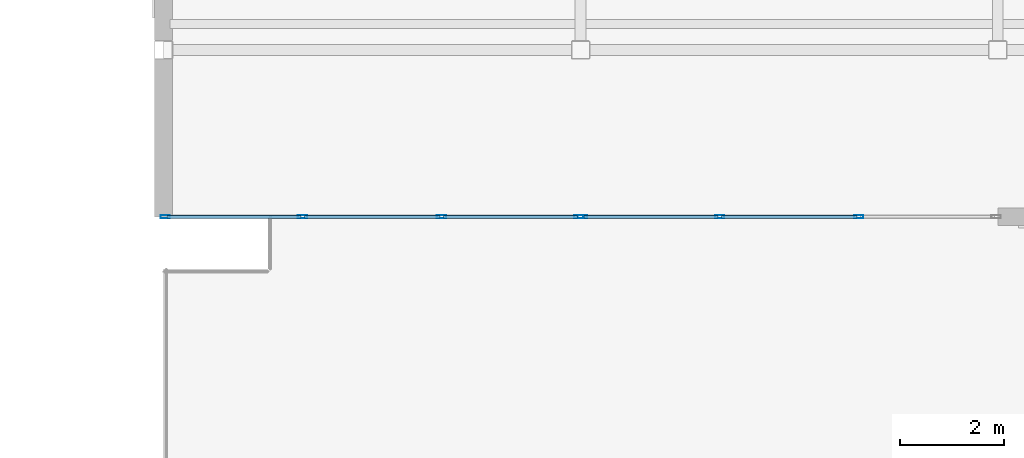
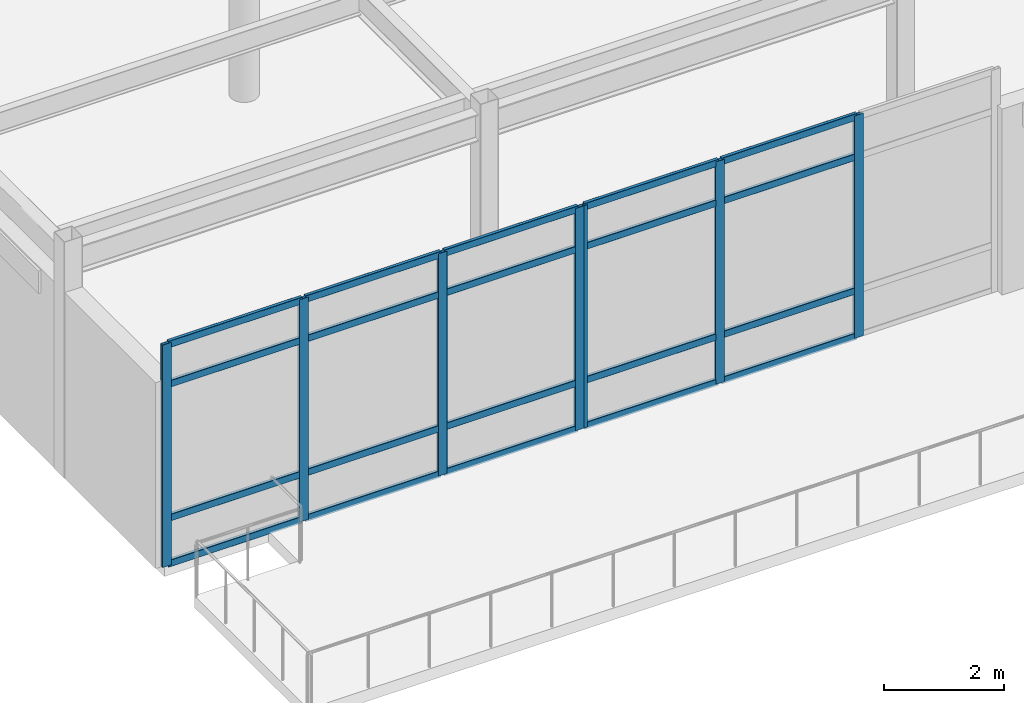
# One storey, part 46 of 117: 27 members, 2 elements without a shape of their own.
"""IFC4 building model written with IfcOpenShell, lengths in metres."""

import ifcopenshell
import ifcopenshell.guid

model = None  # the IFC model being written
_history = None  # IfcOwnerHistory: only IFC2X3 demands one
_inside = {}  # id of a spatial element -> (the spatial element, [elements in it])
_under = {}  # id of a project, library or spatial element -> (it, [spatial elements below it])
_declared = {}  # id of a project -> (the project, [libraries it declares])
_typed = {}  # id of a type object -> (the type object, [elements of that type])
_made_of = {}  # id of a material, layer set ... -> (it, [elements and type objects made of it])


def new_model(schema):
    """Start an empty IFC model of exactly this schema.

    Asked for "IFC4X3", IfcOpenShell would pick the latest addendum, in which some entities
    have other attributes; the version numbers below select the first issue.
    IFC2X3 requires an IfcOwnerHistory on every rooted entity: one is made here for all.
    """
    global model, _history
    if schema == "IFC4X3":
        model = ifcopenshell.file(schema_version=(4, 3, 0, 0))
    else:
        model = ifcopenshell.file(schema=schema)
    _inside.clear()
    _under.clear()
    _declared.clear()
    _typed.clear()
    _made_of.clear()
    _history = None
    if model.schema == "IFC2X3":
        org = make("IfcOrganization", Name="unknown")
        user = make(
            "IfcPersonAndOrganization",
            ThePerson=make("IfcPerson", FamilyName="unknown"),
            TheOrganization=org,
        )
        app = make(
            "IfcApplication",
            ApplicationDeveloper=org,
            Version="unknown",
            ApplicationFullName="unknown",
            ApplicationIdentifier="unknown",
        )
        _history = make(
            "IfcOwnerHistory",
            OwningUser=user,
            OwningApplication=app,
            ChangeAction="ADDED",
            CreationDate=0,
        )
    return model


def make(cls, **values):
    """One entity of the class cls with the attributes given. An attribute that is None is left unset."""
    return model.create_entity(
        cls, **{name: value for name, value in values.items() if value is not None}
    )


def rooted(cls, **values):
    """An entity with a GlobalId (a new one), such as an element, a storey or a relation."""
    return make(cls, GlobalId=ifcopenshell.guid.new(), OwnerHistory=_history, **values)


def si_unit(unit_type, name, prefix=None):
    """IfcSIUnit, for example si_unit("LENGTHUNIT", "METRE", prefix="MILLI")."""
    return make("IfcSIUnit", UnitType=unit_type, Prefix=prefix, Name=name)


def assignment(units):
    """IfcUnitAssignment: the units of a project."""
    return None if units is None else make("IfcUnitAssignment", Units=units)


def point(xyz):
    """IfcCartesianPoint."""
    return None if xyz is None else make("IfcCartesianPoint", Coordinates=xyz)


def direction(xyz):
    """IfcDirection."""
    return None if xyz is None else make("IfcDirection", DirectionRatios=xyz)


def frame(location, z_axis=None, x_axis=None):
    """IfcAxis2Placement3D, a coordinate frame: its origin and axes. An axis left out is left unset."""
    return make(
        "IfcAxis2Placement3D",
        Location=point(location),
        Axis=direction(z_axis),
        RefDirection=direction(x_axis),
    )


def frame_2d(location, x_axis=None):
    """IfcAxis2Placement2D, a coordinate frame in the plane: its origin and x axis."""
    return make(
        "IfcAxis2Placement2D", Location=point(location), RefDirection=direction(x_axis)
    )


def origin():
    """The frame at (0, 0, 0) with its axes left unset."""
    return frame((0.0, 0.0, 0.0))


def origin_2d():
    """The frame at (0, 0) in the plane with its x axis left unset."""
    return frame_2d((0.0, 0.0))


def place(relative_to, where):
    """IfcLocalPlacement: puts the frame where relative to a parent placement (None: the world)."""
    return make(
        "IfcLocalPlacement", PlacementRelTo=relative_to, RelativePlacement=where
    )


def context(
    kind, dimensions, precision=None, world=None, true_north=None, identifier=None
):
    """IfcGeometricRepresentationContext, for example the 3D "Model" context."""
    return make(
        "IfcGeometricRepresentationContext",
        ContextIdentifier=identifier,
        ContextType=kind,
        CoordinateSpaceDimension=dimensions,
        Precision=precision,
        WorldCoordinateSystem=world,
        TrueNorth=true_north,
    )


def subcontext(parent, identifier, kind, view, scale=None):
    """IfcGeometricRepresentationSubContext, for example "Body" below "Model"."""
    return make(
        "IfcGeometricRepresentationSubContext",
        ContextIdentifier=identifier,
        ContextType=kind,
        ParentContext=parent,
        TargetScale=scale,
        TargetView=view,
    )


def project(units=None, contexts=None):
    """IfcProject with its units and contexts."""
    return rooted(
        "IfcProject",
        Name="project",
        RepresentationContexts=contexts,
        UnitsInContext=assignment(units),
    )


def spatial(cls, under=None, at=None, **own):
    """A site, building, storey or space (cls), placed at a placement, below another one or the project."""
    s = rooted(cls, ObjectPlacement=at, **own)
    if under is not None:
        _under.setdefault(under.id(), (under, []))[1].append(s)
    return s


def profile(cls, at=None, kind="AREA", **sizes):
    """A parametric profile (cls). Its sizes go by their IFC names, for example OverallWidth=200.0."""
    return make(cls, ProfileType=kind, Position=at, **sizes)


def hollow_rectangle(**sizes):
    """IfcRectangleHollowProfileDef."""
    return profile("IfcRectangleHollowProfileDef", **sizes)


def extrude(swept, where, along, depth):
    """IfcExtrudedAreaSolid: the profile swept, set in the frame where, extruded along a direction by depth."""
    return make(
        "IfcExtrudedAreaSolid",
        SweptArea=swept,
        Position=where,
        ExtrudedDirection=direction(along),
        Depth=depth,
    )


def shape(context_of_items, identifier, shape_type, items):
    """IfcShapeRepresentation: the items that make up one representation, for example the "Body"."""
    return make(
        "IfcShapeRepresentation",
        ContextOfItems=context_of_items,
        RepresentationIdentifier=identifier,
        RepresentationType=shape_type,
        Items=items,
    )


def material(Name=None, Category=None):
    """IfcMaterial."""
    return make("IfcMaterial", Name=Name, Category=Category)


def material_profile(
    of_material, cross_section, Name=None, Category=None, Priority=None
):
    """IfcMaterialProfile: a cross section and its material."""
    return make(
        "IfcMaterialProfile",
        Name=Name,
        Material=of_material,
        Profile=cross_section,
        Priority=Priority,
        Category=Category,
    )


def profile_set(profiles, Name=None, composite=None):
    """IfcMaterialProfileSet."""
    return make(
        "IfcMaterialProfileSet",
        Name=Name,
        MaterialProfiles=profiles,
        CompositeProfile=composite,
    )


def made_of(thing, what):
    """Note that an element or type object is made of a material, layer set ...; save() writes the relation."""
    if what is not None:
        _made_of.setdefault(what.id(), (what, []))[1].append(thing)
    return thing


def type_object(cls, material=None, **own):
    """A type object (cls), such as IfcWallType, which elements share."""
    return made_of(rooted(cls, **own), material)


def element(
    cls,
    number,
    at=None,
    inside=None,
    cuts=None,
    type_object=None,
    material=None,
    context=None,
    identifier="Body",
    shape_type=None,
    held_by="IfcProductDefinitionShape",
    body=None,
    shapes=None,
    **own,
):
    """One element of the class cls, such as IfcWall. Its Tag is "e" and its number.

    at: its placement. inside: the storey or other place that contains it. cuts: it is an
    opening in that element (IfcRelVoidsElement). A single representation is given by context,
    identifier, shape_type and body (its items); several are given by shapes. held_by: the class
    of the entity that holds the representations. save() writes the other relations.
    """
    e = rooted(cls, Tag="e%d" % number, ObjectPlacement=at, **own)
    if body is not None:
        shapes = [shape(context, identifier, shape_type, body)]
    if shapes is not None:
        e.Representation = make(held_by, Representations=shapes)
    if inside is not None:
        _inside.setdefault(inside.id(), (inside, []))[1].append(e)
    if cuts is not None:
        rooted(
            "IfcRelVoidsElement", RelatingBuildingElement=cuts, RelatedOpeningElement=e
        )
    if type_object is not None:
        _typed.setdefault(type_object.id(), (type_object, []))[1].append(e)
    return made_of(e, material)


def aggregate(whole, parts):
    """IfcRelAggregates: a whole, such as a stair, and the parts it consists of."""
    return rooted("IfcRelAggregates", RelatingObject=whole, RelatedObjects=parts)


def save(model, path):
    """Write the relations noted so far, then the file.

    IfcRelAggregates (storeys below a building ...), IfcRelContainedInSpatialStructure (elements
    in a storey), IfcRelDefinesByType, IfcRelAssociatesMaterial and IfcRelDeclares: one each for
    every whole, place, type object, material and project.
    """
    for whole, parts in _under.values():
        aggregate(whole, parts)
    for where, things in _inside.values():
        rooted(
            "IfcRelContainedInSpatialStructure",
            RelatedElements=things,
            RelatingStructure=where,
        )
    for kind, things in _typed.values():
        rooted("IfcRelDefinesByType", RelatedObjects=things, RelatingType=kind)
    for what, things in _made_of.values():
        rooted("IfcRelAssociatesMaterial", RelatedObjects=things, RelatingMaterial=what)
    for by, libraries in _declared.values():
        rooted("IfcRelDeclares", RelatingContext=by, RelatedDefinitions=libraries)
    model.write(path)


model = new_model("IFC4")

# Units and contexts
model_context = context("Model", 3, precision=1e-05, world=origin(), true_north=direction((0.0, 1.0)))
body_context = subcontext(model_context, "Body", "Model", "MODEL_VIEW")
ifc_project = project(units=[si_unit("LENGTHUNIT", "METRE"), si_unit("AREAUNIT", "SQUARE_METRE"), si_unit("VOLUMEUNIT", "CUBIC_METRE"), si_unit("PLANEANGLEUNIT", "RADIAN"), si_unit("MASSUNIT", "GRAM", prefix="KILO")], contexts=[model_context])

# Site, building, storey
site_placement = place(None, origin())
site = spatial("IfcSite", under=ifc_project, at=site_placement, CompositionType="ELEMENT")
building_placement = place(site_placement, origin())
building = spatial("IfcBuilding", under=site, at=building_placement, Name="Solmirada Galleria", CompositionType="ELEMENT")
storey_placement = place(building_placement, frame((0.0, 0.0, 5.60009765625)))
storey = spatial("IfcBuildingStorey", under=building, at=storey_placement, Name="L01", CompositionType="ELEMENT", Elevation=5.60009765625)

# Curtain wall, members
ifc_material_1 = material(Name="Impact-resistant low-E double glazing", Category="glass")
curtain_wall_type = type_object("IfcCurtainWallType", Name="CW-FZ4-L01-B3-L080", PredefinedType="NOTDEFINED", material=ifc_material_1)
curtain_wall_1_placement = place(storey_placement, origin())
curtain_wall_1 = element("IfcCurtainWall", 1, at=curtain_wall_1_placement, inside=storey, type_object=curtain_wall_type, Name="Terrace and arcade storefront CW-L01-051", PredefinedType="NOTDEFINED")
ifc_material_2 = material(Name="Anodised aluminium framing", Category="aluminium")
ifc_material_profile_1 = material_profile(ifc_material_2, hollow_rectangle(XDim=0.06494140625, YDim=0.179931640625, WallThickness=0.00390625, InnerFilletRadius=0.00390625, OuterFilletRadius=0.008056640625, at=origin_2d()), Name="ALU-MULL-180X65")
ifc_profile_set_1 = profile_set([ifc_material_profile_1], Name="Anodised aluminium framing")
member_type_1 = type_object("IfcMemberType", Name="CW-MULL-180", PredefinedType="MULLION", material=ifc_profile_set_1)
member_1_placement = place(storey_placement, frame((53.333251953125, 76.800048828125, 0.0), z_axis=(0.0, 0.0, 1.0), x_axis=(0.0, -1.0, 0.0)))
member_1 = element("IfcMember", 2, at=member_1_placement, type_object=member_type_1, Name="CW13 mullion 2", PredefinedType="MULLION", context=body_context, shape_type="SweptSolid", body=[
    extrude(hollow_rectangle(XDim=0.06494140625, YDim=0.179931640625, WallThickness=0.00390625, InnerFilletRadius=0.00390625, OuterFilletRadius=0.008056640625, at=origin_2d()), origin(), (0.0, 0.0, 1.0), 4.52001953125),
])
member_2_placement = place(storey_placement, frame((50.666748046875, 76.800048828125, 0.0), z_axis=(0.0, 0.0, 1.0), x_axis=(0.0, -1.0, 0.0)))
member_2 = element("IfcMember", 3, at=member_2_placement, type_object=member_type_1, Name="CW13 mullion 3", PredefinedType="MULLION", context=body_context, shape_type="SweptSolid", body=[
    extrude(hollow_rectangle(XDim=0.06494140625, YDim=0.179931640625, WallThickness=0.00390625, InnerFilletRadius=0.00390625, OuterFilletRadius=0.008056640625, at=origin_2d()), origin(), (0.0, 0.0, 1.0), 4.52001953125),
])
member_3_placement = place(storey_placement, frame((48.032470703125, 76.800048828125, 0.0), z_axis=(0.0, 0.0, 1.0), x_axis=(0.0, -1.0, 0.0)))
member_3 = element("IfcMember", 4, at=member_3_placement, type_object=member_type_1, Name="CW13 mullion 4", PredefinedType="MULLION", context=body_context, shape_type="SweptSolid", body=[
    extrude(hollow_rectangle(XDim=0.06494140625, YDim=0.179931640625, WallThickness=0.00390625, InnerFilletRadius=0.00390625, OuterFilletRadius=0.008056640625, at=origin_2d()), origin(), (0.0, 0.0, 1.0), 4.52001953125),
])

curtain_wall_2_placement = place(storey_placement, origin())
curtain_wall_2 = element("IfcCurtainWall", 5, at=curtain_wall_2_placement, inside=storey, type_object=curtain_wall_type, Name="Terrace and arcade storefront CW-L01-052", PredefinedType="NOTDEFINED")
member_4_placement = place(storey_placement, frame((47.967529296875, 76.800048828125, 0.0), z_axis=(0.0, 0.0, 1.0), x_axis=(0.0, -1.0, 0.0)))
member_4 = element("IfcMember", 6, at=member_4_placement, type_object=member_type_1, Name="CW13 mullion 1", PredefinedType="MULLION", context=body_context, shape_type="SweptSolid", body=[
    extrude(hollow_rectangle(XDim=0.06494140625, YDim=0.179931640625, WallThickness=0.00390625, InnerFilletRadius=0.00390625, OuterFilletRadius=0.008056640625, at=origin_2d()), origin(), (0.0, 0.0, 1.0), 4.52001953125),
])
member_5_placement = place(storey_placement, frame((45.333251953125, 76.800048828125, 0.0), z_axis=(0.0, 0.0, 1.0), x_axis=(0.0, -1.0, 0.0)))
member_5 = element("IfcMember", 7, at=member_5_placement, type_object=member_type_1, Name="CW13 mullion 2", PredefinedType="MULLION", context=body_context, shape_type="SweptSolid", body=[
    extrude(hollow_rectangle(XDim=0.06494140625, YDim=0.179931640625, WallThickness=0.00390625, InnerFilletRadius=0.00390625, OuterFilletRadius=0.008056640625, at=origin_2d()), origin(), (0.0, 0.0, 1.0), 4.52001953125),
])
member_6_placement = place(storey_placement, frame((42.666748046875, 76.800048828125, 0.0), z_axis=(0.0, 0.0, 1.0), x_axis=(0.0, -1.0, 0.0)))
member_6 = element("IfcMember", 8, at=member_6_placement, type_object=member_type_1, Name="CW13 mullion 3", PredefinedType="MULLION", context=body_context, shape_type="SweptSolid", body=[
    extrude(hollow_rectangle(XDim=0.06494140625, YDim=0.179931640625, WallThickness=0.00390625, InnerFilletRadius=0.00390625, OuterFilletRadius=0.008056640625, at=origin_2d()), origin(), (0.0, 0.0, 1.0), 4.52001953125),
])
member_7_placement = place(storey_placement, frame((40.032470703125, 76.800048828125, 0.0), z_axis=(0.0, 0.0, 1.0), x_axis=(0.0, -1.0, 0.0)))
member_7 = element("IfcMember", 9, at=member_7_placement, type_object=member_type_1, Name="CW13 mullion 4", PredefinedType="MULLION", context=body_context, shape_type="SweptSolid", body=[
    extrude(hollow_rectangle(XDim=0.06494140625, YDim=0.179931640625, WallThickness=0.00390625, InnerFilletRadius=0.00390625, OuterFilletRadius=0.008056640625, at=origin_2d()), origin(), (0.0, 0.0, 1.0), 4.52001953125),
])

# Member
ifc_material_profile_2 = material_profile(ifc_material_2, hollow_rectangle(XDim=0.06494140625, YDim=0.139892578125, WallThickness=0.00341796875, InnerFilletRadius=0.00341796875, OuterFilletRadius=0.007080078125, at=origin_2d()), Name="ALU-TRAN-140X65")
ifc_profile_set_2 = profile_set([ifc_material_profile_2], Name="Anodised aluminium framing")
member_type_2 = type_object("IfcMemberType", Name="CW-TRAN-140", PredefinedType="USERDEFINED", material=ifc_profile_set_2)
member_8_placement = place(storey_placement, frame((53.30078125, 76.800048828125, 0.032470703125), z_axis=(-1.0, 0.0, 0.0), x_axis=(0.0, -1.0, 0.0)))
member_8 = element("IfcMember", 10, at=member_8_placement, type_object=member_type_2, Name="CW13 transom 2.1", ObjectType="TRANSOM", PredefinedType="USERDEFINED", context=body_context, shape_type="SweptSolid", body=[
    extrude(hollow_rectangle(XDim=0.06494140625, YDim=0.139892578125, WallThickness=0.00341796875, InnerFilletRadius=0.00341796875, OuterFilletRadius=0.007080078125, at=origin_2d()), origin(), (0.0, 0.0, 1.0), 2.6015625),
])

member_9_placement = place(storey_placement, frame((53.30078125, 76.800048828125, 0.9599609375), z_axis=(-1.0, 0.0, 0.0), x_axis=(0.0, -1.0, 0.0)))
member_9 = element("IfcMember", 11, at=member_9_placement, type_object=member_type_2, Name="CW13 transom 2.2", ObjectType="TRANSOM", PredefinedType="USERDEFINED", context=body_context, shape_type="SweptSolid", body=[
    extrude(hollow_rectangle(XDim=0.06494140625, YDim=0.139892578125, WallThickness=0.00341796875, InnerFilletRadius=0.00341796875, OuterFilletRadius=0.007080078125, at=origin_2d()), origin(), (0.0, 0.0, 1.0), 2.6015625),
])

member_10_placement = place(storey_placement, frame((53.30078125, 76.800048828125, 3.679931640625), z_axis=(-1.0, 0.0, 0.0), x_axis=(0.0, -1.0, 0.0)))
member_10 = element("IfcMember", 12, at=member_10_placement, type_object=member_type_2, Name="CW13 transom 2.3", ObjectType="TRANSOM", PredefinedType="USERDEFINED", context=body_context, shape_type="SweptSolid", body=[
    extrude(hollow_rectangle(XDim=0.06494140625, YDim=0.139892578125, WallThickness=0.00341796875, InnerFilletRadius=0.00341796875, OuterFilletRadius=0.007080078125, at=origin_2d()), origin(), (0.0, 0.0, 1.0), 2.6015625),
])

member_11_placement = place(storey_placement, frame((53.30078125, 76.800048828125, 4.4873046875), z_axis=(-1.0, 0.0, 0.0), x_axis=(0.0, -1.0, 0.0)))
member_11 = element("IfcMember", 13, at=member_11_placement, type_object=member_type_2, Name="CW13 transom 2.4", ObjectType="TRANSOM", PredefinedType="USERDEFINED", context=body_context, shape_type="SweptSolid", body=[
    extrude(hollow_rectangle(XDim=0.06494140625, YDim=0.139892578125, WallThickness=0.00341796875, InnerFilletRadius=0.00341796875, OuterFilletRadius=0.007080078125, at=origin_2d()), origin(), (0.0, 0.0, 1.0), 2.6015625),
])

member_12_placement = place(storey_placement, frame((50.63427734375, 76.800048828125, 0.032470703125), z_axis=(-1.0, 0.0, 0.0), x_axis=(0.0, -1.0, 0.0)))
member_12 = element("IfcMember", 14, at=member_12_placement, type_object=member_type_2, Name="CW13 transom 3.1", ObjectType="TRANSOM", PredefinedType="USERDEFINED", context=body_context, shape_type="SweptSolid", body=[
    extrude(hollow_rectangle(XDim=0.06494140625, YDim=0.139892578125, WallThickness=0.00341796875, InnerFilletRadius=0.00341796875, OuterFilletRadius=0.007080078125, at=origin_2d()), origin(), (0.0, 0.0, 1.0), 2.5693359375),
])

member_13_placement = place(storey_placement, frame((50.63427734375, 76.800048828125, 0.9599609375), z_axis=(-1.0, 0.0, 0.0), x_axis=(0.0, -1.0, 0.0)))
member_13 = element("IfcMember", 15, at=member_13_placement, type_object=member_type_2, Name="CW13 transom 3.2", ObjectType="TRANSOM", PredefinedType="USERDEFINED", context=body_context, shape_type="SweptSolid", body=[
    extrude(hollow_rectangle(XDim=0.06494140625, YDim=0.139892578125, WallThickness=0.00341796875, InnerFilletRadius=0.00341796875, OuterFilletRadius=0.007080078125, at=origin_2d()), origin(), (0.0, 0.0, 1.0), 2.5693359375),
])

member_14_placement = place(storey_placement, frame((50.63427734375, 76.800048828125, 3.679931640625), z_axis=(-1.0, 0.0, 0.0), x_axis=(0.0, -1.0, 0.0)))
member_14 = element("IfcMember", 16, at=member_14_placement, type_object=member_type_2, Name="CW13 transom 3.3", ObjectType="TRANSOM", PredefinedType="USERDEFINED", context=body_context, shape_type="SweptSolid", body=[
    extrude(hollow_rectangle(XDim=0.06494140625, YDim=0.139892578125, WallThickness=0.00341796875, InnerFilletRadius=0.00341796875, OuterFilletRadius=0.007080078125, at=origin_2d()), origin(), (0.0, 0.0, 1.0), 2.5693359375),
])

member_15_placement = place(storey_placement, frame((50.63427734375, 76.800048828125, 4.4873046875), z_axis=(-1.0, 0.0, 0.0), x_axis=(0.0, -1.0, 0.0)))
member_15 = element("IfcMember", 17, at=member_15_placement, type_object=member_type_2, Name="CW13 transom 3.4", ObjectType="TRANSOM", PredefinedType="USERDEFINED", context=body_context, shape_type="SweptSolid", body=[
    extrude(hollow_rectangle(XDim=0.06494140625, YDim=0.139892578125, WallThickness=0.00341796875, InnerFilletRadius=0.00341796875, OuterFilletRadius=0.007080078125, at=origin_2d()), origin(), (0.0, 0.0, 1.0), 2.5693359375),
])

aggregate(curtain_wall_1, [member_1, member_2, member_3, member_8, member_9, member_10, member_11, member_12, member_13, member_14, member_15])

member_16_placement = place(storey_placement, frame((47.93505859375, 76.800048828125, 0.032470703125), z_axis=(-1.0, 0.0, 0.0), x_axis=(0.0, -1.0, 0.0)))
member_16 = element("IfcMember", 18, at=member_16_placement, type_object=member_type_2, Name="CW13 transom 1.1", ObjectType="TRANSOM", PredefinedType="USERDEFINED", context=body_context, shape_type="SweptSolid", body=[
    extrude(hollow_rectangle(XDim=0.06494140625, YDim=0.139892578125, WallThickness=0.00341796875, InnerFilletRadius=0.00341796875, OuterFilletRadius=0.007080078125, at=origin_2d()), origin(), (0.0, 0.0, 1.0), 2.5693359375),
])

member_17_placement = place(storey_placement, frame((47.93505859375, 76.800048828125, 0.9599609375), z_axis=(-1.0, 0.0, 0.0), x_axis=(0.0, -1.0, 0.0)))
member_17 = element("IfcMember", 19, at=member_17_placement, type_object=member_type_2, Name="CW13 transom 1.2", ObjectType="TRANSOM", PredefinedType="USERDEFINED", context=body_context, shape_type="SweptSolid", body=[
    extrude(hollow_rectangle(XDim=0.06494140625, YDim=0.139892578125, WallThickness=0.00341796875, InnerFilletRadius=0.00341796875, OuterFilletRadius=0.007080078125, at=origin_2d()), origin(), (0.0, 0.0, 1.0), 2.5693359375),
])

member_18_placement = place(storey_placement, frame((47.93505859375, 76.800048828125, 3.679931640625), z_axis=(-1.0, 0.0, 0.0), x_axis=(0.0, -1.0, 0.0)))
member_18 = element("IfcMember", 20, at=member_18_placement, type_object=member_type_2, Name="CW13 transom 1.3", ObjectType="TRANSOM", PredefinedType="USERDEFINED", context=body_context, shape_type="SweptSolid", body=[
    extrude(hollow_rectangle(XDim=0.06494140625, YDim=0.139892578125, WallThickness=0.00341796875, InnerFilletRadius=0.00341796875, OuterFilletRadius=0.007080078125, at=origin_2d()), origin(), (0.0, 0.0, 1.0), 2.5693359375),
])

member_19_placement = place(storey_placement, frame((47.93505859375, 76.800048828125, 4.4873046875), z_axis=(-1.0, 0.0, 0.0), x_axis=(0.0, -1.0, 0.0)))
member_19 = element("IfcMember", 21, at=member_19_placement, type_object=member_type_2, Name="CW13 transom 1.4", ObjectType="TRANSOM", PredefinedType="USERDEFINED", context=body_context, shape_type="SweptSolid", body=[
    extrude(hollow_rectangle(XDim=0.06494140625, YDim=0.139892578125, WallThickness=0.00341796875, InnerFilletRadius=0.00341796875, OuterFilletRadius=0.007080078125, at=origin_2d()), origin(), (0.0, 0.0, 1.0), 2.5693359375),
])

member_20_placement = place(storey_placement, frame((45.30078125, 76.800048828125, 0.032470703125), z_axis=(-1.0, 0.0, 0.0), x_axis=(0.0, -1.0, 0.0)))
member_20 = element("IfcMember", 22, at=member_20_placement, type_object=member_type_2, Name="CW13 transom 2.1", ObjectType="TRANSOM", PredefinedType="USERDEFINED", context=body_context, shape_type="SweptSolid", body=[
    extrude(hollow_rectangle(XDim=0.06494140625, YDim=0.139892578125, WallThickness=0.00341796875, InnerFilletRadius=0.00341796875, OuterFilletRadius=0.007080078125, at=origin_2d()), origin(), (0.0, 0.0, 1.0), 2.6015625),
])

member_21_placement = place(storey_placement, frame((45.30078125, 76.800048828125, 0.9599609375), z_axis=(-1.0, 0.0, 0.0), x_axis=(0.0, -1.0, 0.0)))
member_21 = element("IfcMember", 23, at=member_21_placement, type_object=member_type_2, Name="CW13 transom 2.2", ObjectType="TRANSOM", PredefinedType="USERDEFINED", context=body_context, shape_type="SweptSolid", body=[
    extrude(hollow_rectangle(XDim=0.06494140625, YDim=0.139892578125, WallThickness=0.00341796875, InnerFilletRadius=0.00341796875, OuterFilletRadius=0.007080078125, at=origin_2d()), origin(), (0.0, 0.0, 1.0), 2.6015625),
])

member_22_placement = place(storey_placement, frame((45.30078125, 76.800048828125, 3.679931640625), z_axis=(-1.0, 0.0, 0.0), x_axis=(0.0, -1.0, 0.0)))
member_22 = element("IfcMember", 24, at=member_22_placement, type_object=member_type_2, Name="CW13 transom 2.3", ObjectType="TRANSOM", PredefinedType="USERDEFINED", context=body_context, shape_type="SweptSolid", body=[
    extrude(hollow_rectangle(XDim=0.06494140625, YDim=0.139892578125, WallThickness=0.00341796875, InnerFilletRadius=0.00341796875, OuterFilletRadius=0.007080078125, at=origin_2d()), origin(), (0.0, 0.0, 1.0), 2.6015625),
])

member_23_placement = place(storey_placement, frame((45.30078125, 76.800048828125, 4.4873046875), z_axis=(-1.0, 0.0, 0.0), x_axis=(0.0, -1.0, 0.0)))
member_23 = element("IfcMember", 25, at=member_23_placement, type_object=member_type_2, Name="CW13 transom 2.4", ObjectType="TRANSOM", PredefinedType="USERDEFINED", context=body_context, shape_type="SweptSolid", body=[
    extrude(hollow_rectangle(XDim=0.06494140625, YDim=0.139892578125, WallThickness=0.00341796875, InnerFilletRadius=0.00341796875, OuterFilletRadius=0.007080078125, at=origin_2d()), origin(), (0.0, 0.0, 1.0), 2.6015625),
])

member_24_placement = place(storey_placement, frame((42.63427734375, 76.800048828125, 0.032470703125), z_axis=(-1.0, 0.0, 0.0), x_axis=(0.0, -1.0, 0.0)))
member_24 = element("IfcMember", 26, at=member_24_placement, type_object=member_type_2, Name="CW13 transom 3.1", ObjectType="TRANSOM", PredefinedType="USERDEFINED", context=body_context, shape_type="SweptSolid", body=[
    extrude(hollow_rectangle(XDim=0.06494140625, YDim=0.139892578125, WallThickness=0.00341796875, InnerFilletRadius=0.00341796875, OuterFilletRadius=0.007080078125, at=origin_2d()), origin(), (0.0, 0.0, 1.0), 2.5693359375),
])

member_25_placement = place(storey_placement, frame((42.63427734375, 76.800048828125, 0.9599609375), z_axis=(-1.0, 0.0, 0.0), x_axis=(0.0, -1.0, 0.0)))
member_25 = element("IfcMember", 27, at=member_25_placement, type_object=member_type_2, Name="CW13 transom 3.2", ObjectType="TRANSOM", PredefinedType="USERDEFINED", context=body_context, shape_type="SweptSolid", body=[
    extrude(hollow_rectangle(XDim=0.06494140625, YDim=0.139892578125, WallThickness=0.00341796875, InnerFilletRadius=0.00341796875, OuterFilletRadius=0.007080078125, at=origin_2d()), origin(), (0.0, 0.0, 1.0), 2.5693359375),
])

member_26_placement = place(storey_placement, frame((42.63427734375, 76.800048828125, 3.679931640625), z_axis=(-1.0, 0.0, 0.0), x_axis=(0.0, -1.0, 0.0)))
member_26 = element("IfcMember", 28, at=member_26_placement, type_object=member_type_2, Name="CW13 transom 3.3", ObjectType="TRANSOM", PredefinedType="USERDEFINED", context=body_context, shape_type="SweptSolid", body=[
    extrude(hollow_rectangle(XDim=0.06494140625, YDim=0.139892578125, WallThickness=0.00341796875, InnerFilletRadius=0.00341796875, OuterFilletRadius=0.007080078125, at=origin_2d()), origin(), (0.0, 0.0, 1.0), 2.5693359375),
])

member_27_placement = place(storey_placement, frame((42.63427734375, 76.800048828125, 4.4873046875), z_axis=(-1.0, 0.0, 0.0), x_axis=(0.0, -1.0, 0.0)))
member_27 = element("IfcMember", 29, at=member_27_placement, type_object=member_type_2, Name="CW13 transom 3.4", ObjectType="TRANSOM", PredefinedType="USERDEFINED", context=body_context, shape_type="SweptSolid", body=[
    extrude(hollow_rectangle(XDim=0.06494140625, YDim=0.139892578125, WallThickness=0.00341796875, InnerFilletRadius=0.00341796875, OuterFilletRadius=0.007080078125, at=origin_2d()), origin(), (0.0, 0.0, 1.0), 2.5693359375),
])

aggregate(curtain_wall_2, [member_4, member_5, member_6, member_7, member_16, member_17, member_18, member_19, member_20, member_21, member_22, member_23, member_24, member_25, member_26, member_27])

save(model, "model.ifc")
